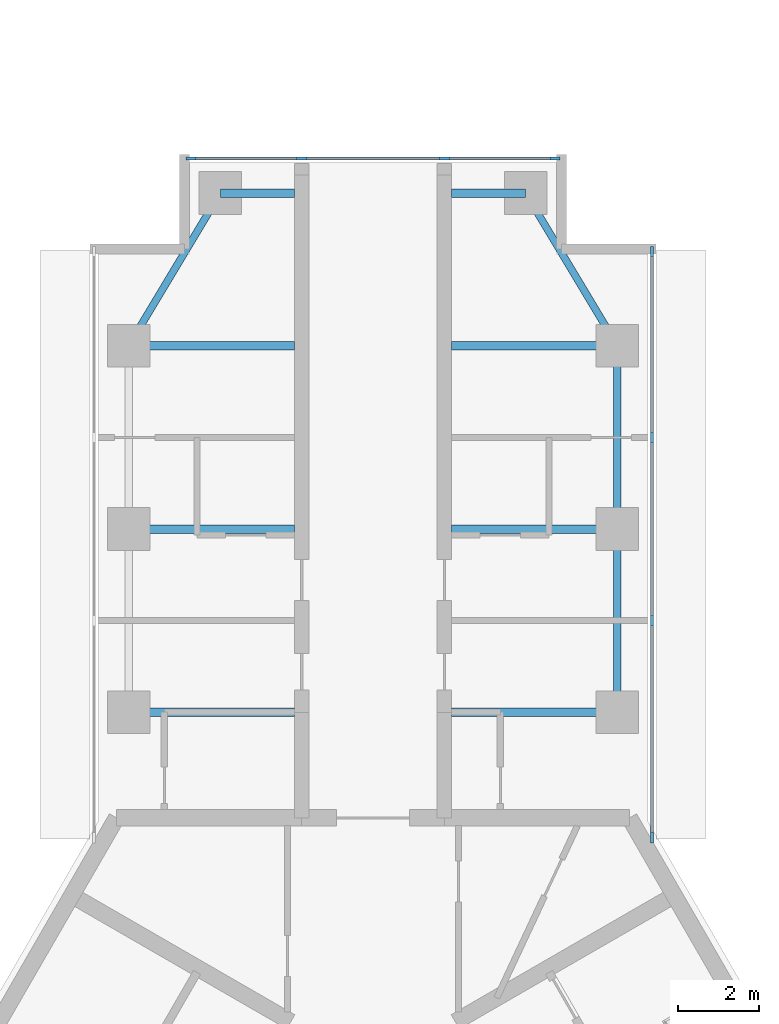
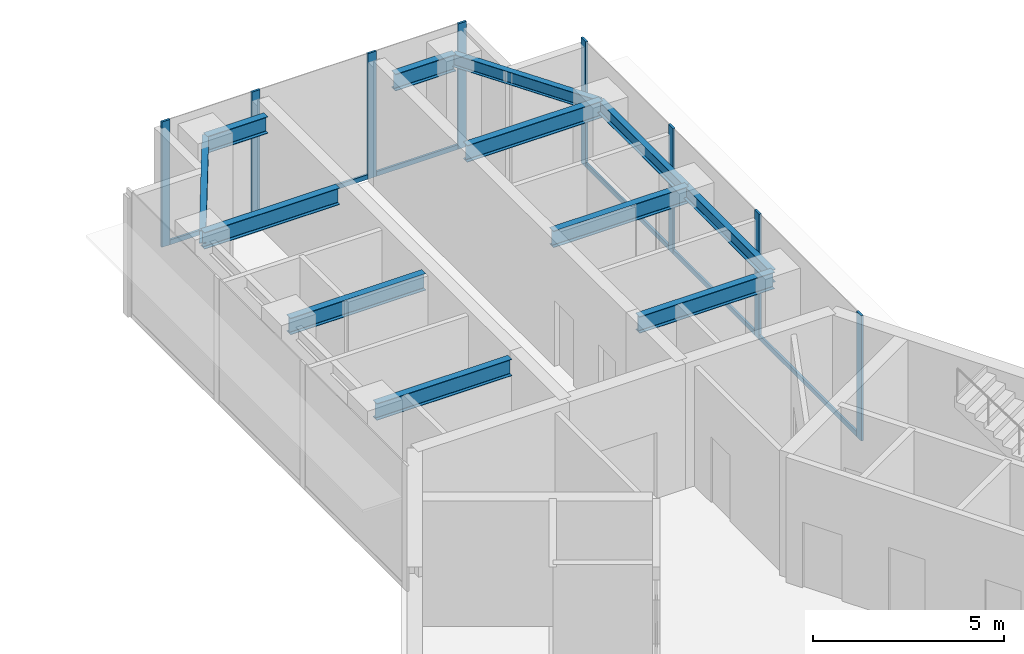
# One storey, part 3 of 11: 14 members, 12 beams, 2 elements without a shape of their own.
"""IFC4 building model written with IfcOpenShell, lengths in metres."""

from ifc_helpers import new_model, si_unit, direction, frame, origin, origin_2d, place, context, subcontext, project, spatial, rectangle, i_section, extrude, material, material_profile, profile_set, type_object, element, aggregate, save


model = new_model("IFC4")

# Units and contexts
model_context = context("Model", 3, precision=1e-05, world=origin(), true_north=direction((0.0, 1.0)))
body_context = subcontext(model_context, "Body", "Model", "MODEL_VIEW")
ifc_project = project(units=[si_unit("LENGTHUNIT", "METRE"), si_unit("AREAUNIT", "SQUARE_METRE"), si_unit("VOLUMEUNIT", "CUBIC_METRE"), si_unit("PLANEANGLEUNIT", "RADIAN"), si_unit("MASSUNIT", "GRAM", prefix="KILO")], contexts=[model_context])

# Site, building, storey
site_placement = place(None, origin())
site = spatial("IfcSite", under=ifc_project, at=site_placement, CompositionType="ELEMENT")
building_placement = place(site_placement, origin())
building = spatial("IfcBuilding", under=site, at=building_placement, Name="Upepo Twin Towers", CompositionType="ELEMENT")
storey_placement = place(building_placement, frame((0.0, 0.0, 259.5)))
storey = spatial("IfcBuildingStorey", under=building, at=storey_placement, Name="L63", CompositionType="ELEMENT", Elevation=259.5)

# Beams
ifc_material_1 = material(Name="Steel S355", Category="steel")
ifc_material_profile_1 = material_profile(ifc_material_1, i_section(OverallWidth=0.177978515625, OverallDepth=0.406494140625, WebThickness=0.0078125, FlangeThickness=0.0126953125, FilletRadius=0.01025390625, at=origin_2d()), Name="UB 406x178x60")
ifc_profile_set_1 = profile_set([ifc_material_profile_1], Name="Steel S355")
beam_type_1 = type_object("IfcBeamType", Name="Beam UB 406x178x60", PredefinedType="BEAM", material=ifc_profile_set_1)
beam_1_placement = place(storey_placement, frame((52.5, 4.5, 3.5966796875), z_axis=(0.514495755428, 0.857492925713, 0.0), x_axis=(-0.857492925713, 0.514495755428, 0.0)))
element("IfcBeam", 1, at=beam_1_placement, inside=storey, type_object=beam_type_1, Name="T2 nose edge beam AL", PredefinedType="BEAM", context=body_context, shape_type="SweptSolid", body=[
    extrude(i_section(OverallWidth=0.177978515625, OverallDepth=0.406494140625, WebThickness=0.0078125, FlangeThickness=0.0126953125, FilletRadius=0.01025390625, at=origin_2d()), origin(), (0.0, 0.0, 1.0), 4.373291015625),
])
for number, where, z_axis, x_axis, name in (
    (2, (64.5, -4.5, 3.5966796875), (0.0, 1.0, 0.0), (-1.0, 0.0, 0.0), "T2 edge beam AR 13.5-18.0"),
    (3, (64.5, 0.0, 3.5966796875), (0.0, 1.0, 0.0), (-1.0, 0.0, 0.0), "T2 edge beam AR 18.0-22.5"),
):
    element("IfcBeam", number, at=place(storey_placement, frame(where, z_axis=z_axis, x_axis=x_axis)), inside=storey, type_object=beam_type_1, Name=name, PredefinedType="BEAM", context=body_context, shape_type="SweptSolid", body=[
        extrude(i_section(OverallWidth=0.177978515625, OverallDepth=0.406494140625, WebThickness=0.0078125, FlangeThickness=0.0126953125, FilletRadius=0.01025390625, at=origin_2d()), origin(), (0.0, 0.0, 1.0), 4.5),
    ])
beam_2_placement = place(storey_placement, frame((64.5, 4.5, 3.5966796875), z_axis=(-0.514495755428, 0.857492925713, 0.0), x_axis=(-0.857492925713, -0.514495755428, 0.0)))
element("IfcBeam", 4, at=beam_2_placement, inside=storey, type_object=beam_type_1, Name="T2 nose edge beam AR", PredefinedType="BEAM", context=body_context, shape_type="SweptSolid", body=[
    extrude(i_section(OverallWidth=0.177978515625, OverallDepth=0.406494140625, WebThickness=0.0078125, FlangeThickness=0.0126953125, FilletRadius=0.01025390625, at=origin_2d()), origin(), (0.0, 0.0, 1.0), 4.373291015625),
])
ifc_material_2 = material(Name="Steel S355", Category="steel")
ifc_material_profile_2 = material_profile(ifc_material_2, i_section(OverallWidth=0.2099609375, OverallDepth=0.53662109375, WebThickness=0.0107421875, FlangeThickness=0.017333984375, FilletRadius=0.0126953125, at=origin_2d()), Name="UB 533x210x101")
ifc_profile_set_2 = profile_set([ifc_material_profile_2], Name="Steel S355")
beam_type_2 = type_object("IfcBeamType", Name="Beam UB 533x210x101", PredefinedType="BEAM", material=ifc_profile_set_2)
for number, where, z_axis, x_axis, name in (
    (5, (54.75, 8.25, 3.53173828125), (1.0, 0.0, 0.0), (0.0, 1.0, 0.0), "T2 nose beam AL"),
    (6, (62.25, 8.25, 3.53173828125), (-1.0, 0.0, 0.0), (0.0, -1.0, 0.0), "T2 nose beam AR"),
):
    element("IfcBeam", number, at=place(storey_placement, frame(where, z_axis=z_axis, x_axis=x_axis)), inside=storey, type_object=beam_type_2, Name=name, PredefinedType="BEAM", context=body_context, shape_type="SweptSolid", body=[
        extrude(i_section(OverallWidth=0.2099609375, OverallDepth=0.53662109375, WebThickness=0.0107421875, FlangeThickness=0.017333984375, FilletRadius=0.0126953125, at=origin_2d()), origin(), (0.0, 0.0, 1.0), 1.824951171875),
    ])
ifc_material_3 = material(Name="Steel S355", Category="steel")
ifc_material_profile_3 = material_profile(ifc_material_3, i_section(OverallWidth=0.209228515625, OverallDepth=0.533203125, WebThickness=0.010009765625, FlangeThickness=0.015625, FilletRadius=0.0126953125, at=origin_2d()), Name="UB 533x210x92")
ifc_profile_set_3 = profile_set([ifc_material_profile_3], Name="Steel S355")
beam_type_3 = type_object("IfcBeamType", Name="Beam UB 533x210x92", PredefinedType="BEAM", material=ifc_profile_set_3)
for number, where, z_axis, x_axis, name in (
    (7, (52.5, -4.5, 3.533447265625), (1.0, 0.0, 0.0), (0.0, 1.0, 0.0), "T2 girder AL at 13.5"),
    (8, (52.5, 0.0, 3.533447265625), (1.0, 0.0, 0.0), (0.0, 1.0, 0.0), "T2 girder AL at 18.0"),
    (9, (52.5, 4.5, 3.533447265625), (1.0, 0.0, 0.0), (0.0, 1.0, 0.0), "T2 girder AL at 22.5"),
    (10, (64.5, -4.5, 3.533447265625), (-1.0, 0.0, 0.0), (0.0, -1.0, 0.0), "T2 girder AR at 13.5"),
    (11, (64.5, 0.0, 3.533447265625), (-1.0, 0.0, 0.0), (0.0, -1.0, 0.0), "T2 girder AR at 18.0"),
    (12, (64.5, 4.5, 3.533447265625), (-1.0, 0.0, 0.0), (0.0, -1.0, 0.0), "T2 girder AR at 22.5"),
):
    element("IfcBeam", number, at=place(storey_placement, frame(where, z_axis=z_axis, x_axis=x_axis)), inside=storey, type_object=beam_type_3, Name=name, PredefinedType="BEAM", context=body_context, shape_type="SweptSolid", body=[
        extrude(i_section(OverallWidth=0.209228515625, OverallDepth=0.533203125, WebThickness=0.010009765625, FlangeThickness=0.015625, FilletRadius=0.0126953125, at=origin_2d()), origin(), (0.0, 0.0, 1.0), 4.074951171875),
    ])

# Curtain wall, members
ifc_material_4 = material(Name="Aluminium and fritted glass", Category="aluminium")
curtain_wall_type = type_object("IfcCurtainWallType", Name="Tower curtain wall TW4, fritted glass", PredefinedType="NOTDEFINED", material=ifc_material_4)
curtain_wall_1_placement = place(storey_placement, origin())
curtain_wall_1 = element("IfcCurtainWall", 13, at=curtain_wall_1_placement, inside=storey, type_object=curtain_wall_type, Name="T2 L63 wing A flank R curtain wall", PredefinedType="NOTDEFINED")
ifc_material_5 = material(Name="Aluminium mullion", Category="aluminium")
ifc_material_profile_4 = material_profile(ifc_material_5, rectangle(XDim=0.06494140625, YDim=0.25, at=origin_2d()), Name="MULLION 65x250")
ifc_profile_set_4 = profile_set([ifc_material_profile_4], Name="Aluminium mullion")
member_type_1 = type_object("IfcMemberType", Name="Mullion 65x250 TW4", PredefinedType="MULLION", material=ifc_profile_set_4)
member_1_placement = place(storey_placement, frame((65.35009765625, 6.8173828125, 0.0), z_axis=(0.0, 0.0, 1.0), x_axis=(1.0, 0.0, 0.0)))
member_1 = element("IfcMember", 14, at=member_1_placement, type_object=member_type_1, Name="T2 L63 wing A flank R curtain wall mullion 1", PredefinedType="MULLION", context=body_context, shape_type="SweptSolid", body=[
    extrude(rectangle(XDim=0.06494140625, YDim=0.25, at=origin_2d()), origin(), (0.0, 0.0, 1.0), 4.0),
])
member_2_placement = place(storey_placement, frame((65.35009765625, 2.25, 0.0), z_axis=(0.0, 0.0, 1.0), x_axis=(1.0, 0.0, 0.0)))
member_2 = element("IfcMember", 15, at=member_2_placement, type_object=member_type_1, Name="T2 L63 wing A flank R curtain wall mullion 2", PredefinedType="MULLION", context=body_context, shape_type="SweptSolid", body=[
    extrude(rectangle(XDim=0.06494140625, YDim=0.25, at=origin_2d()), origin(), (0.0, 0.0, 1.0), 4.0),
])
member_3_placement = place(storey_placement, frame((65.35009765625, -2.25, 0.0), z_axis=(0.0, 0.0, 1.0), x_axis=(1.0, 0.0, 0.0)))
member_3 = element("IfcMember", 16, at=member_3_placement, type_object=member_type_1, Name="T2 L63 wing A flank R curtain wall mullion 3", PredefinedType="MULLION", context=body_context, shape_type="SweptSolid", body=[
    extrude(rectangle(XDim=0.06494140625, YDim=0.25, at=origin_2d()), origin(), (0.0, 0.0, 1.0), 4.0),
])
member_4_placement = place(storey_placement, frame((65.35009765625, -7.580322265625, 0.0), z_axis=(0.0, 0.0, 1.0), x_axis=(1.0, 0.0, 0.0)))
member_4 = element("IfcMember", 17, at=member_4_placement, type_object=member_type_1, Name="T2 L63 wing A flank R curtain wall mullion 4", PredefinedType="MULLION", context=body_context, shape_type="SweptSolid", body=[
    extrude(rectangle(XDim=0.06494140625, YDim=0.25, at=origin_2d()), origin(), (0.0, 0.0, 1.0), 4.0),
])

curtain_wall_2_placement = place(storey_placement, origin())
curtain_wall_2 = element("IfcCurtainWall", 18, at=curtain_wall_2_placement, inside=storey, type_object=curtain_wall_type, Name="T2 L63 wing A nose curtain wall", PredefinedType="NOTDEFINED")
member_5_placement = place(storey_placement, frame((62.967529296875, 9.10009765625, 0.0), z_axis=(0.0, 0.0, 1.0), x_axis=(0.0, -1.0, 0.0)))
member_5 = element("IfcMember", 19, at=member_5_placement, type_object=member_type_1, Name="T2 L63 wing A nose curtain wall mullion 1", PredefinedType="MULLION", context=body_context, shape_type="SweptSolid", body=[
    extrude(rectangle(XDim=0.06494140625, YDim=0.25, at=origin_2d()), origin(), (0.0, 0.0, 1.0), 4.0),
])
member_6_placement = place(storey_placement, frame((60.25, 9.10009765625, 0.0), z_axis=(0.0, 0.0, 1.0), x_axis=(0.0, -1.0, 0.0)))
member_6 = element("IfcMember", 20, at=member_6_placement, type_object=member_type_1, Name="T2 L63 wing A nose curtain wall mullion 2", PredefinedType="MULLION", context=body_context, shape_type="SweptSolid", body=[
    extrude(rectangle(XDim=0.06494140625, YDim=0.25, at=origin_2d()), origin(), (0.0, 0.0, 1.0), 4.0),
])
member_7_placement = place(storey_placement, frame((56.75, 9.10009765625, 0.0), z_axis=(0.0, 0.0, 1.0), x_axis=(0.0, -1.0, 0.0)))
member_7 = element("IfcMember", 21, at=member_7_placement, type_object=member_type_1, Name="T2 L63 wing A nose curtain wall mullion 3", PredefinedType="MULLION", context=body_context, shape_type="SweptSolid", body=[
    extrude(rectangle(XDim=0.06494140625, YDim=0.25, at=origin_2d()), origin(), (0.0, 0.0, 1.0), 4.0),
])
member_8_placement = place(storey_placement, frame((54.032470703125, 9.10009765625, 0.0), z_axis=(0.0, 0.0, 1.0), x_axis=(0.0, -1.0, 0.0)))
member_8 = element("IfcMember", 22, at=member_8_placement, type_object=member_type_1, Name="T2 L63 wing A nose curtain wall mullion 4", PredefinedType="MULLION", context=body_context, shape_type="SweptSolid", body=[
    extrude(rectangle(XDim=0.06494140625, YDim=0.25, at=origin_2d()), origin(), (0.0, 0.0, 1.0), 4.0),
])

# Member
ifc_material_6 = material(Name="Aluminium transom", Category="aluminium")
ifc_material_profile_5 = material_profile(ifc_material_6, rectangle(XDim=0.06494140625, YDim=0.14990234375, at=origin_2d()), Name="TRANSOM 65x150")
ifc_profile_set_5 = profile_set([ifc_material_profile_5], Name="Aluminium transom")
member_type_2 = type_object("IfcMemberType", Name="Transom 65x150 TW4", PredefinedType="USERDEFINED", material=ifc_profile_set_5)
member_9_placement = place(storey_placement, frame((65.35009765625, 6.784912109375, 0.074951171875), z_axis=(0.0, -1.0, 0.0), x_axis=(1.0, 0.0, 0.0)))
member_9 = element("IfcMember", 23, at=member_9_placement, type_object=member_type_2, Name="T2 L63 wing A flank R curtain wall transom 1", ObjectType="TRANSOM", PredefinedType="USERDEFINED", context=body_context, shape_type="SweptSolid", body=[
    extrude(rectangle(XDim=0.06494140625, YDim=0.14990234375, at=origin_2d()), origin(), (0.0, 0.0, 1.0), 4.50244140625),
])

member_10_placement = place(storey_placement, frame((65.35009765625, 2.217529296875, 0.074951171875), z_axis=(0.0, -1.0, 0.0), x_axis=(1.0, 0.0, 0.0)))
member_10 = element("IfcMember", 24, at=member_10_placement, type_object=member_type_2, Name="T2 L63 wing A flank R curtain wall transom 2", ObjectType="TRANSOM", PredefinedType="USERDEFINED", context=body_context, shape_type="SweptSolid", body=[
    extrude(rectangle(XDim=0.06494140625, YDim=0.14990234375, at=origin_2d()), origin(), (0.0, 0.0, 1.0), 4.43505859375),
])

member_11_placement = place(storey_placement, frame((65.35009765625, -2.282470703125, 0.074951171875), z_axis=(0.0, -1.0, 0.0), x_axis=(1.0, 0.0, 0.0)))
member_11 = element("IfcMember", 25, at=member_11_placement, type_object=member_type_2, Name="T2 L63 wing A flank R curtain wall transom 3", ObjectType="TRANSOM", PredefinedType="USERDEFINED", context=body_context, shape_type="SweptSolid", body=[
    extrude(rectangle(XDim=0.06494140625, YDim=0.14990234375, at=origin_2d()), origin(), (0.0, 0.0, 1.0), 5.265380859375),
])

aggregate(curtain_wall_1, [member_1, member_2, member_3, member_4, member_9, member_10, member_11])

member_12_placement = place(storey_placement, frame((62.93505859375, 9.10009765625, 0.074951171875), z_axis=(-1.0, 0.0, 0.0), x_axis=(0.0, -1.0, 0.0)))
member_12 = element("IfcMember", 26, at=member_12_placement, type_object=member_type_2, Name="T2 L63 wing A nose curtain wall transom 1", ObjectType="TRANSOM", PredefinedType="USERDEFINED", context=body_context, shape_type="SweptSolid", body=[
    extrude(rectangle(XDim=0.06494140625, YDim=0.14990234375, at=origin_2d()), origin(), (0.0, 0.0, 1.0), 2.652587890625),
])

member_13_placement = place(storey_placement, frame((60.217529296875, 9.10009765625, 0.074951171875), z_axis=(-1.0, 0.0, 0.0), x_axis=(0.0, -1.0, 0.0)))
member_13 = element("IfcMember", 27, at=member_13_placement, type_object=member_type_2, Name="T2 L63 wing A nose curtain wall transom 2", ObjectType="TRANSOM", PredefinedType="USERDEFINED", context=body_context, shape_type="SweptSolid", body=[
    extrude(rectangle(XDim=0.06494140625, YDim=0.14990234375, at=origin_2d()), origin(), (0.0, 0.0, 1.0), 3.43505859375),
])

member_14_placement = place(storey_placement, frame((56.717529296875, 9.10009765625, 0.074951171875), z_axis=(-1.0, 0.0, 0.0), x_axis=(0.0, -1.0, 0.0)))
member_14 = element("IfcMember", 28, at=member_14_placement, type_object=member_type_2, Name="T2 L63 wing A nose curtain wall transom 3", ObjectType="TRANSOM", PredefinedType="USERDEFINED", context=body_context, shape_type="SweptSolid", body=[
    extrude(rectangle(XDim=0.06494140625, YDim=0.14990234375, at=origin_2d()), origin(), (0.0, 0.0, 1.0), 2.652587890625),
])

aggregate(curtain_wall_2, [member_5, member_6, member_7, member_8, member_12, member_13, member_14])

save(model, "model.ifc")
